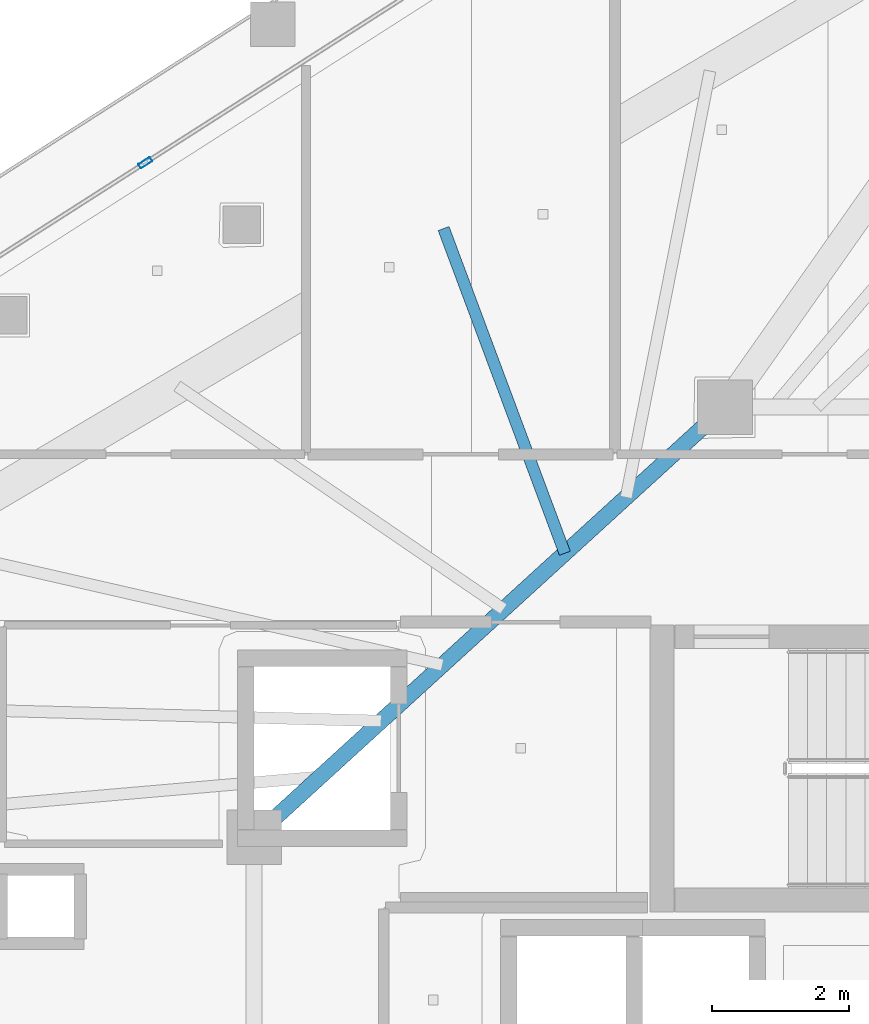
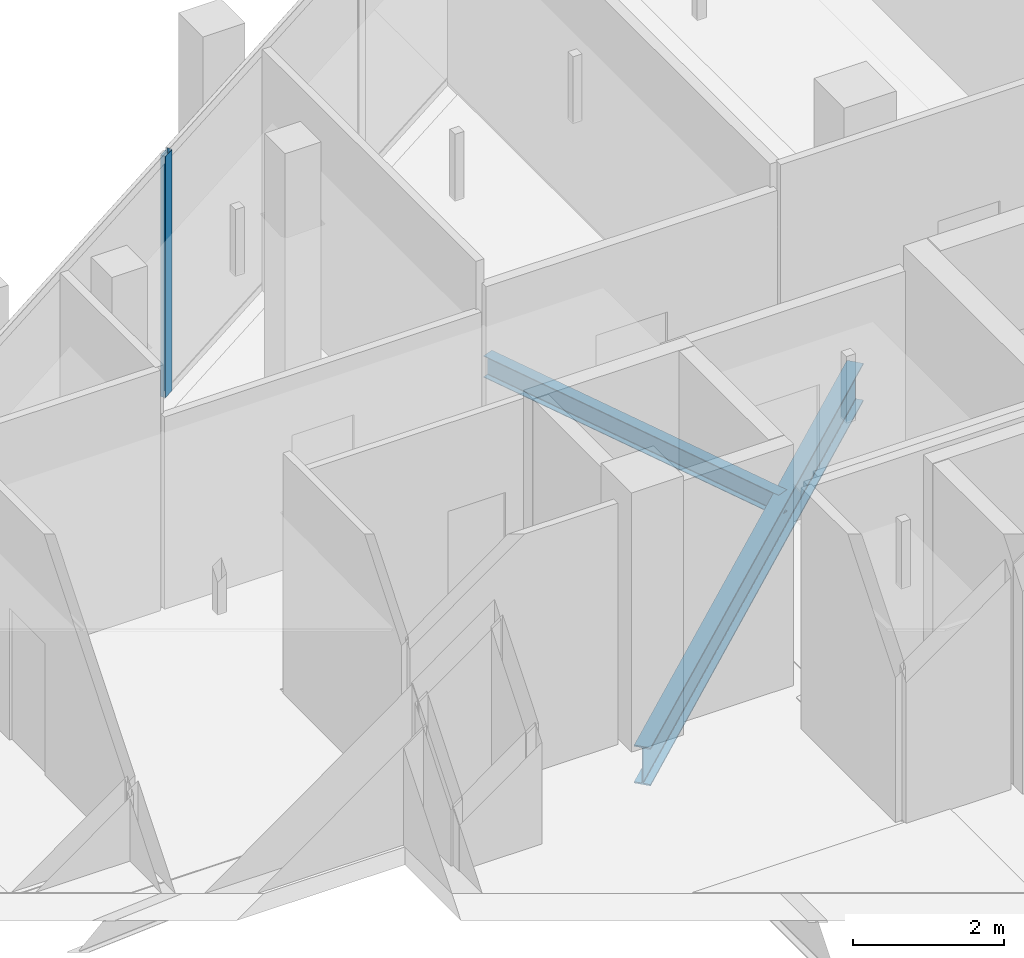
# One storey, part 17 of 36: 2 beams, 1 member, 1 element without a shape of its own.
"""IFC4 building model written with IfcOpenShell, lengths in metres."""

from ifc_helpers import new_model, si_unit, direction, frame, origin, origin_2d, place, context, subcontext, project, spatial, hollow_rectangle, i_section, extrude, material, layer, layer_set, material_profile, profile_set, type_object, element, aggregate, save


model = new_model("IFC4")

# Units and contexts
model_context = context("Model", 3, precision=1e-05, world=origin(), true_north=direction((0.0, 1.0)))
body_context = subcontext(model_context, "Body", "Model", "MODEL_VIEW")
ifc_project = project(units=[si_unit("LENGTHUNIT", "METRE"), si_unit("AREAUNIT", "SQUARE_METRE"), si_unit("VOLUMEUNIT", "CUBIC_METRE"), si_unit("PLANEANGLEUNIT", "RADIAN"), si_unit("MASSUNIT", "GRAM", prefix="KILO")], contexts=[model_context])

# Site, building, storey
site_placement = place(None, origin())
site = spatial("IfcSite", under=ifc_project, at=site_placement, CompositionType="ELEMENT")
building_placement = place(site_placement, origin())
building = spatial("IfcBuilding", under=site, at=building_placement, Name="Qorvath Tower", CompositionType="ELEMENT")
storey_placement = place(building_placement, frame((0.0, 0.0, 272.39990234375)))
storey = spatial("IfcBuildingStorey", under=building, at=storey_placement, Name="L63", CompositionType="ELEMENT", Elevation=272.39990234375)

# Beams
ifc_material_1 = material(Name="Steel ASTM A992 Grade 50", Category="steel")
ifc_material_profile_1 = material_profile(ifc_material_1, i_section(OverallWidth=0.22998046875, OverallDepth=0.616943359375, WebThickness=0.01318359375, FlangeThickness=0.022216796875, FilletRadius=0.014892578125, at=origin_2d()), Name="W24x94")
ifc_profile_set_1 = profile_set([ifc_material_profile_1], Name="Steel ASTM A992 Grade 50")
beam_type_1 = type_object("IfcBeamType", Name="BM-FG6", PredefinedType="BEAM", material=ifc_profile_set_1)
beam_1_placement = place(storey_placement, frame((-30.5, 5.14990234375, -0.598388671875), z_axis=(0.73847813985, 0.6742774184, 0.0), x_axis=(-0.6742774184, 0.73847813985, 0.0)))
element("IfcBeam", 1, at=beam_1_placement, inside=storey, type_object=beam_type_1, Name="Core Ring Girder CC5-CC1 L63", PredefinedType="BEAM", context=body_context, shape_type="SweptSolid", body=[
    extrude(i_section(OverallWidth=0.22998046875, OverallDepth=0.616943359375, WebThickness=0.01318359375, FlangeThickness=0.022216796875, FilletRadius=0.014892578125, at=origin_2d()), origin(), (0.0, 0.0, 1.0), 9.343505859375),
])
ifc_material_2 = material(Name="Steel ASTM A992 Grade 50", Category="steel")
ifc_material_profile_2 = material_profile(ifc_material_2, i_section(OverallWidth=0.1708984375, OverallDepth=0.35107421875, WebThickness=0.0068359375, FlangeThickness=0.009765625, FilletRadius=0.010009765625, at=origin_2d()), Name="W14x30")
ifc_profile_set_2 = profile_set([ifc_material_profile_2], Name="Steel ASTM A992 Grade 50")
beam_type_2 = type_object("IfcBeamType", Name="BM-FJ4", PredefinedType="JOIST", material=ifc_profile_set_2)
beam_2_placement = place(storey_placement, frame((-25.946044921875, 9.30810546875, -0.46533203125), z_axis=(-0.349858795354, 0.936802446257, 0.0), x_axis=(-0.936802446257, -0.349858795354, 0.0)))
element("IfcBeam", 2, at=beam_2_placement, inside=storey, type_object=beam_type_2, Name="Composite Floor Joist NW5 L63", PredefinedType="JOIST", context=body_context, shape_type="SweptSolid", body=[
    extrude(i_section(OverallWidth=0.1708984375, OverallDepth=0.35107421875, WebThickness=0.0068359375, FlangeThickness=0.009765625, FilletRadius=0.010009765625, at=origin_2d()), origin(), (0.0, 0.0, 1.0), 5.078857421875),
])

# Curtain wall, member
ifc_material_3 = material(Name="Anodised aluminium and triple low-E glass", Category="aluminium")
ifc_layer = layer(ifc_material_3, 0.179931640625)
ifc_layer_set = layer_set([ifc_layer], Name="CW-SYS-4")
curtain_wall_type = type_object("IfcCurtainWallType", Name="CW-SYS-4", PredefinedType="NOTDEFINED", material=ifc_layer_set)
curtain_wall_placement = place(storey_placement, origin())
curtain_wall = element("IfcCurtainWall", 3, at=curtain_wall_placement, inside=storey, type_object=curtain_wall_type, Name="Curtain Wall CW-4 CW-T-L63-16.1", PredefinedType="NOTDEFINED")
ifc_material_4 = material(Name="Anodised aluminium 6063-T6", Category="aluminium")
ifc_material_profile_3 = material_profile(ifc_material_4, hollow_rectangle(XDim=0.074951171875, YDim=0.199951171875, WallThickness=0.00390625, InnerFilletRadius=0.00390625, OuterFilletRadius=0.008056640625, at=origin_2d()), Name="CWM 200x75")
ifc_profile_set_3 = profile_set([ifc_material_profile_3], Name="Anodised aluminium 6063-T6")
member_type = type_object("IfcMemberType", Name="CWM-200", PredefinedType="MULLION", material=ifc_profile_set_3)
member_placement = place(storey_placement, frame((-32.093505859375, 15.029541015625, 0.0), z_axis=(0.0, 0.0, 1.0), x_axis=(0.538533509281, -0.842604094093, 0.0)))
member = element("IfcMember", 4, at=member_placement, type_object=member_type, Name="CW-4 mullion 4", PredefinedType="MULLION", context=body_context, shape_type="SweptSolid", body=[
    extrude(hollow_rectangle(XDim=0.074951171875, YDim=0.199951171875, WallThickness=0.00390625, InnerFilletRadius=0.00390625, OuterFilletRadius=0.008056640625, at=origin_2d()), origin(), (0.0, 0.0, 1.0), 3.91015625),
])
aggregate(curtain_wall, [member])

save(model, "model.ifc")
